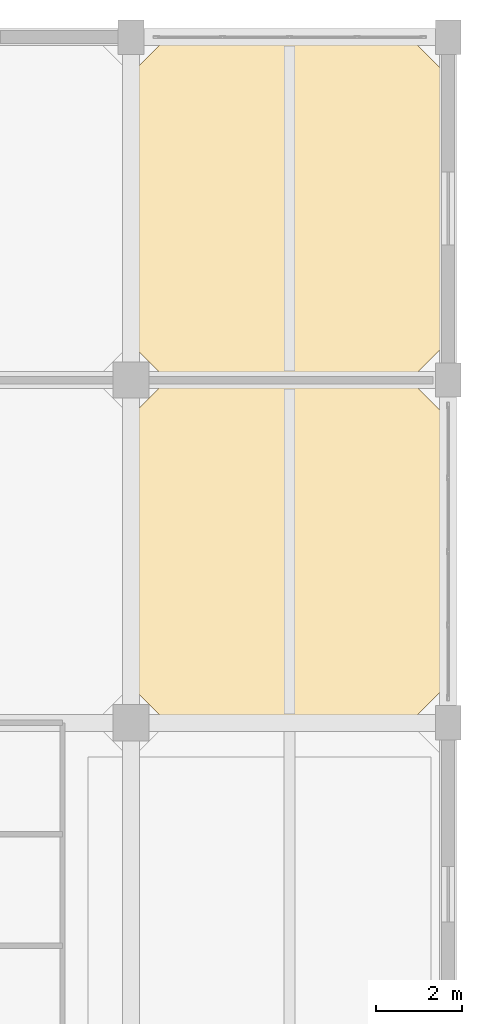
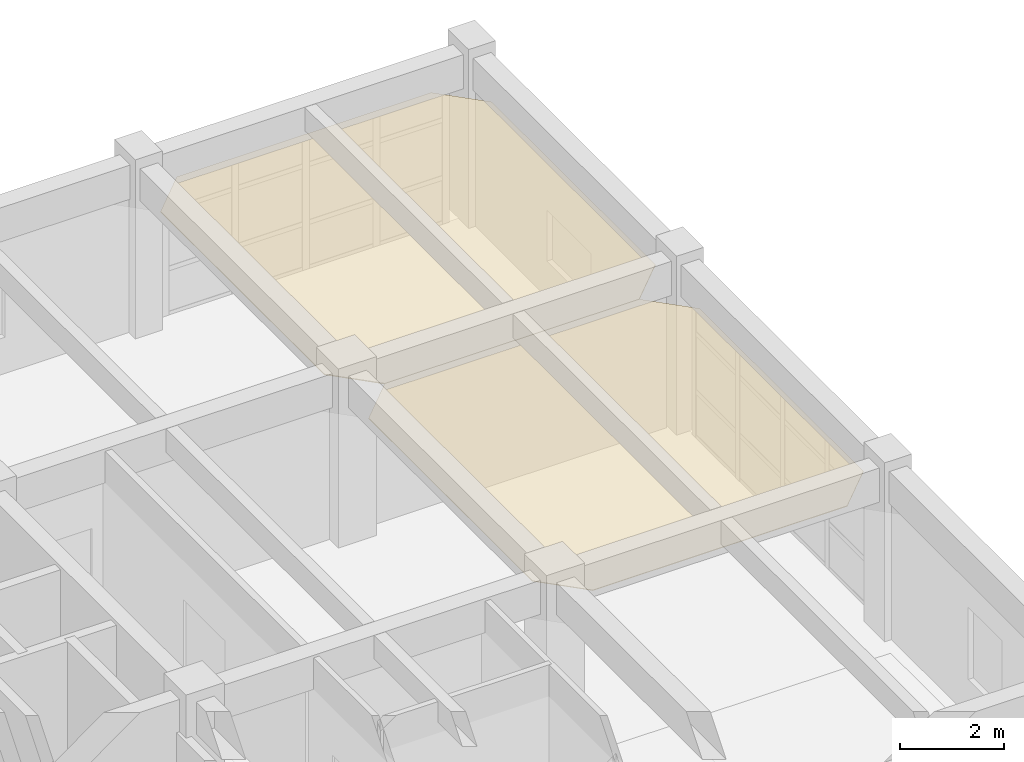
# One storey, part 27 of 27: 2 coverings.
"""IFC4 building model written with IfcOpenShell, lengths in metres."""

from ifc_helpers import new_model, si_unit, direction, frame, origin, place, context, subcontext, project, spatial, polyline, outline, extrude, material, layer, layer_set, type_object, element, save


model = new_model("IFC4")

# Units and contexts
model_context = context("Model", 3, precision=1e-05, world=origin(), true_north=direction((0.0, 1.0)))
body_context = subcontext(model_context, "Body", "Model", "MODEL_VIEW")
ifc_project = project(units=[si_unit("LENGTHUNIT", "METRE"), si_unit("AREAUNIT", "SQUARE_METRE"), si_unit("VOLUMEUNIT", "CUBIC_METRE"), si_unit("PLANEANGLEUNIT", "RADIAN"), si_unit("MASSUNIT", "GRAM", prefix="KILO")], contexts=[model_context])

# Site, building, storey
site_placement = place(None, origin())
site = spatial("IfcSite", under=ifc_project, at=site_placement, CompositionType="ELEMENT")
building_placement = place(site_placement, origin())
building = spatial("IfcBuilding", under=site, at=building_placement, Name="Canggui Botanical Conservatory", CompositionType="ELEMENT")
storey_placement = place(building_placement, frame((0.0, 0.0, 23.39990234375)))
storey = spatial("IfcBuildingStorey", under=building, at=storey_placement, Name="L06", CompositionType="ELEMENT", Elevation=23.39990234375)

# Coverings
ifc_material_1 = material(Name="Mineral Fibre Acoustic Board")
ifc_layer_1 = layer(ifc_material_1, 0.014892578125, Name="Mineral Fibre Acoustic Board")
ifc_layer_set_1 = layer_set([ifc_layer_1], Name="Mineral Fibre Acoustic Board")
covering_type_1 = type_object("IfcCoveringType", Name="COV-CEIL-15", PredefinedType="CEILING", material=ifc_layer_set_1)
covering_1_placement = place(storey_placement, frame((0.0, 0.0, 3.14501953125)))
element("IfcCovering", 1, at=covering_1_placement, inside=storey, type_object=covering_type_1, Name="Suspended Acoustic Ceiling L06-170-58", PredefinedType="CEILING", context=body_context, shape_type="SweptSolid", body=[
    extrude(outline(polyline([(170.85009765625, 58.0), (176.5, 58.0), (177.35009765625, 58.85009765625), (177.35009765625, 65.14990234375), (176.5, 66.0), (170.85009765625, 66.0), (170.0, 65.14990234375), (170.0, 58.85009765625), (170.85009765625, 58.0)])), origin(), (0.0, 0.0, 1.0), 0.01513671875),
])
ifc_material_2 = material(Name="Perforated Gypsum Acoustic Panel")
ifc_layer_2 = layer(ifc_material_2, 0.02001953125, Name="Perforated Gypsum Acoustic Panel")
ifc_layer_set_2 = layer_set([ifc_layer_2], Name="Perforated Gypsum Acoustic Panel")
covering_type_2 = type_object("IfcCoveringType", Name="COV-CEIL-20", PredefinedType="CEILING", material=ifc_layer_set_2)
covering_2_placement = place(storey_placement, frame((0.0, 0.0, 3.14013671875)))
element("IfcCovering", 2, at=covering_2_placement, inside=storey, type_object=covering_type_2, Name="Suspended Acoustic Ceiling L06-170-66", PredefinedType="CEILING", context=body_context, shape_type="SweptSolid", body=[
    extrude(outline(polyline([(170.85009765625, 66.0), (176.5, 66.0), (177.35009765625, 66.85009765625), (177.35009765625, 73.14990234375), (176.5, 74.0), (170.85009765625, 74.0), (170.0, 73.14990234375), (170.0, 66.85009765625), (170.85009765625, 66.0)])), origin(), (0.0, 0.0, 1.0), 0.02001953125),
])

save(model, "model.ifc")
